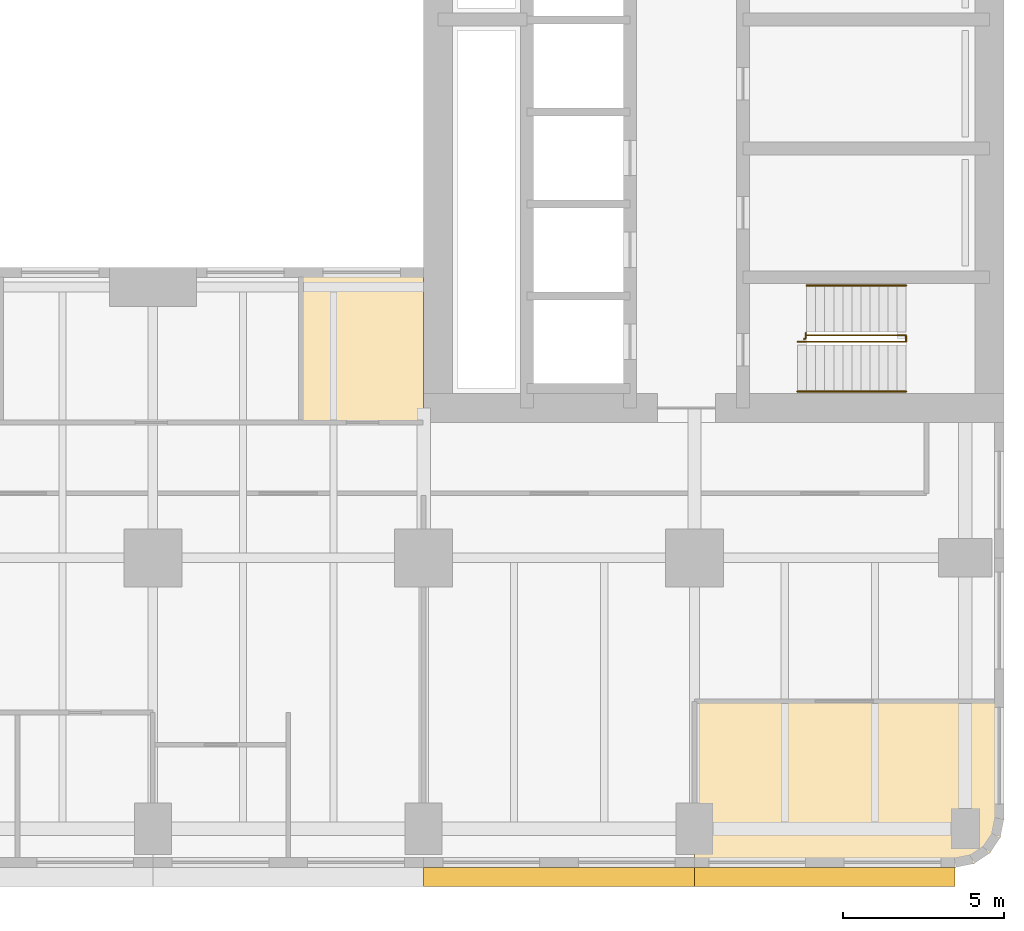
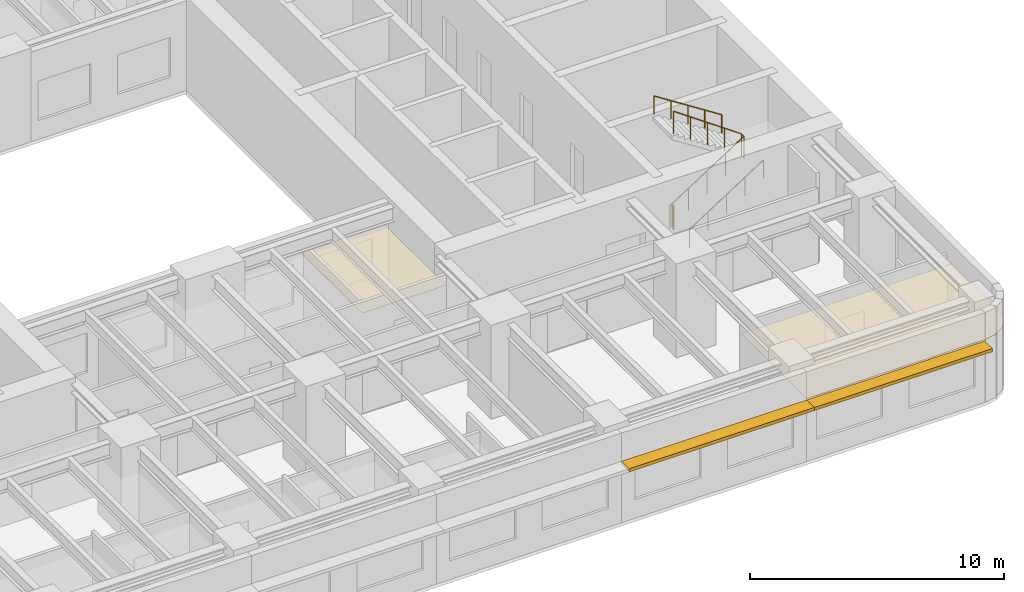
# One storey, part 11 of 13: 4 railings, 2 coverings, 2 shading devices.
"""IFC4 building model written with IfcOpenShell, lengths in metres."""

from ifc_helpers import new_model, si_unit, direction, frame, origin, origin_2d, place, context, subcontext, project, spatial, polyline, rectangle, circle, outline, extrude, material, layer, layer_set, type_object, element, save


model = new_model("IFC4")

# Units and contexts
model_context = context("Model", 3, precision=1e-05, world=origin(), true_north=direction((0.0, 1.0)))
body_context = subcontext(model_context, "Body", "Model", "MODEL_VIEW")
ifc_project = project(units=[si_unit("LENGTHUNIT", "METRE"), si_unit("AREAUNIT", "SQUARE_METRE"), si_unit("VOLUMEUNIT", "CUBIC_METRE"), si_unit("PLANEANGLEUNIT", "RADIAN"), si_unit("MASSUNIT", "GRAM", prefix="KILO")], contexts=[model_context])

# Site, building, storey
site_placement = place(None, origin())
site = spatial("IfcSite", under=ifc_project, at=site_placement, CompositionType="ELEMENT")
building_placement = place(site_placement, origin())
building = spatial("IfcBuilding", under=site, at=building_placement, Name="Claustro Exchange Tower", CompositionType="ELEMENT")
storey_placement = place(building_placement, frame((0.0, 0.0, 86.39990234375)))
storey = spatial("IfcBuildingStorey", under=building, at=storey_placement, Name="L19", CompositionType="ELEMENT", Elevation=86.39990234375)

# Coverings
ifc_material_1 = material(Name="Gypsum board ceiling", Category="gypsum board")
ifc_layer_1 = layer(ifc_material_1, 0.02490234375)
ifc_layer_set_1 = layer_set([ifc_layer_1], Name="Gypsum board ceiling")
covering_type = type_object("IfcCoveringType", Name="CL2 plasterboard ceiling", PredefinedType="CEILING", material=ifc_layer_set_1)
covering_1_placement = place(storey_placement, frame((0.0, 0.0, 3.0)))
element("IfcCovering", 1, at=covering_1_placement, inside=storey, type_object=covering_type, Name="Ceiling CL2 L19-06", PredefinedType="CEILING", context=body_context, shape_type="SweptSolid", body=[
    extrude(outline(polyline([(51.60009765625, 0.300048828125), (51.60009765625, 3.949951171875), (42.0, 3.949951171875), (42.0, -1.199951171875), (50.10009765625, -1.199951171875), (50.674072265625, -1.085693359375), (51.16064453125, -0.7607421875), (51.48583984375, -0.27392578125), (51.60009765625, 0.300048828125)])), origin(), (0.0, 0.0, 1.0), 0.025146484375),
])
covering_2_placement = place(storey_placement, frame((0.0, 0.0, 3.0)))
element("IfcCovering", 2, at=covering_2_placement, inside=storey, type_object=covering_type, Name="Ceiling CL2 L19-14", PredefinedType="CEILING", context=body_context, shape_type="SweptSolid", body=[
    extrude(outline(polyline([(33.60009765625, 17.39990234375), (29.800048828125, 17.39990234375), (29.800048828125, 12.60009765625), (33.60009765625, 12.60009765625), (33.60009765625, 17.39990234375)])), origin(), (0.0, 0.0, 1.0), 0.025146484375),
])

# Railings
ifc_material_2 = material(Name="Steel balustrade, painted", Category="steel")
railing_type_1 = type_object("IfcRailingType", Name="GR2 1100 steel stair guard", PredefinedType="GUARDRAIL", material=ifc_material_2)
railing_1_placement = place(storey_placement, frame((45.199951171875, 15.10009765625, 0.18017578125)))
element("IfcRailing", 3, at=railing_1_placement, inside=storey, type_object=railing_type_1, Name="Stair well guard GR2 stair STEA L19", PredefinedType="GUARDRAIL", context=body_context, shape_type="SweptSolid", body=[
    extrude(circle(Radius=0.02392578125, at=origin_2d()), frame((0.0, 0.0, 1.076171875), z_axis=(0.84119634759, 0.0, 0.540729789082), x_axis=(0.0, 1.0, 0.0)), (0.0, 0.0, 1.0), 3.994384765625),
    extrude(circle(Radius=0.02392578125, at=origin_2d()), frame((3.360107421875, 0.0, 3.23583984375), z_axis=(0.0, 1.0, 0.0), x_axis=(-1.0, 0.0, 0.0)), (0.0, 0.0, 1.0), 0.199951171875),
    extrude(circle(Radius=0.02392578125, at=origin_2d()), frame((3.360107421875, 0.199951171875, 3.23583984375), z_axis=(-0.8187499073, 0.0, 0.574150319426), x_axis=(0.0, -1.0, 0.0)), (0.0, 0.0, 1.0), 3.761962890625),
    extrude(circle(Radius=0.02099609375, at=origin_2d()), origin(), (0.0, 0.0, 1.0), 1.052001953125),
    extrude(circle(Radius=0.02099609375, at=origin_2d()), frame((0.840087890625, 0.0, 0.5400390625)), (0.0, 0.0, 1.0), 1.052001953125),
    extrude(circle(Radius=0.02099609375, at=origin_2d()), frame((1.68017578125, 0.0, 1.080078125)), (0.0, 0.0, 1.0), 1.052001953125),
    extrude(circle(Radius=0.02099609375, at=origin_2d()), frame((2.52001953125, 0.0, 1.619873046875)), (0.0, 0.0, 1.0), 1.052001953125),
    extrude(circle(Radius=0.02099609375, at=origin_2d()), frame((3.360107421875, 0.0, 2.159912109375)), (0.0, 0.0, 1.0), 1.052001953125),
    extrude(circle(Radius=0.02099609375, at=origin_2d()), frame((3.360107421875, 0.199951171875, 2.159912109375)), (0.0, 0.0, 1.0), 1.052001953125),
    extrude(circle(Radius=0.02099609375, at=origin_2d()), frame((2.590087890625, 0.199951171875, 2.699951171875)), (0.0, 0.0, 1.0), 1.052001953125),
    extrude(circle(Radius=0.02099609375, at=origin_2d()), frame((1.820068359375, 0.199951171875, 3.23974609375)), (0.0, 0.0, 1.0), 1.052001953125),
    extrude(circle(Radius=0.02099609375, at=origin_2d()), frame((1.050048828125, 0.199951171875, 3.77978515625)), (0.0, 0.0, 1.0), 1.052001953125),
    extrude(circle(Radius=0.02099609375, at=origin_2d()), frame((0.280029296875, 0.199951171875, 4.31982421875)), (0.0, 0.0, 1.0), 1.052001953125),
])
railing_2_placement = place(storey_placement, frame((45.39990234375, 15.169921875, 0.0)))
element("IfcRailing", 4, at=railing_2_placement, inside=storey, type_object=railing_type_1, Name="Stair guard GR2 STEA L19", PredefinedType="GUARDRAIL", context=body_context, shape_type="SweptSolid", body=[
    extrude(circle(Radius=0.02392578125, at=origin_2d()), frame((0.0, 0.0, 1.076171875), z_axis=(0.0, 1.0, 0.0), x_axis=(-1.0, 0.0, 0.0)), (0.0, 0.0, 1.0), 0.030029296875),
    extrude(circle(Radius=0.02392578125, at=origin_2d()), frame((0.0, 0.030029296875, 1.076171875), z_axis=(1.0, 0.0, 0.0), x_axis=(0.0, 1.0, 0.0)), (0.0, 0.0, 1.0), 0.05517578125),
    extrude(circle(Radius=0.02392578125, at=origin_2d()), frame((0.05517578125, 0.030029296875, 1.076171875), z_axis=(0.0, 1.0, 0.0), x_axis=(-1.0, 0.0, 0.0)), (0.0, 0.0, 1.0), 0.179931640625),
    extrude(circle(Radius=0.02099609375, at=origin_2d()), origin(), (0.0, 0.0, 1.0), 1.052001953125),
    extrude(circle(Radius=0.02099609375, at=origin_2d()), frame((0.0, 0.030029296875, 0.0)), (0.0, 0.0, 1.0), 1.052001953125),
    extrude(circle(Radius=0.02099609375, at=origin_2d()), frame((0.05517578125, 0.030029296875, 0.0)), (0.0, 0.0, 1.0), 1.052001953125),
    extrude(circle(Radius=0.02099609375, at=origin_2d()), frame((0.05517578125, 0.2099609375, 0.0)), (0.0, 0.0, 1.0), 1.052001953125),
])
ifc_material_3 = material(Name="Stainless steel tube", Category="steel")
railing_type_2 = type_object("IfcRailingType", Name="HR1 900 stair handrail", PredefinedType="HANDRAIL", material=ifc_material_3)
railing_3_placement = place(storey_placement, frame((45.199951171875, 13.56005859375, 0.18017578125)))
element("IfcRailing", 5, at=railing_3_placement, inside=storey, type_object=railing_type_2, Name="Handrail HR1 stair STEA L19", PredefinedType="HANDRAIL", context=body_context, shape_type="SweptSolid", body=[
    extrude(circle(Radius=0.02392578125, at=origin_2d()), frame((0.0, 0.0, 0.8759765625), z_axis=(0.84119634759, 0.0, 0.540729789082), x_axis=(0.0, 1.0, 0.0)), (0.0, 0.0, 1.0), 3.994384765625),
    extrude(circle(Radius=0.02099609375, at=origin_2d()), origin(), (0.0, 0.0, 1.0), 0.851806640625),
    extrude(circle(Radius=0.02099609375, at=origin_2d()), frame((0.840087890625, 0.0, 0.5400390625)), (0.0, 0.0, 1.0), 0.851806640625),
    extrude(circle(Radius=0.02099609375, at=origin_2d()), frame((1.68017578125, 0.0, 1.080078125)), (0.0, 0.0, 1.0), 0.851806640625),
    extrude(circle(Radius=0.02099609375, at=origin_2d()), frame((2.52001953125, 0.0, 1.619873046875)), (0.0, 0.0, 1.0), 0.851806640625),
    extrude(circle(Radius=0.02099609375, at=origin_2d()), frame((3.360107421875, 0.0, 2.159912109375)), (0.0, 0.0, 1.0), 0.851806640625),
])
railing_4_placement = place(storey_placement, frame((48.56005859375, 16.840087890625, 2.52001953125)))
element("IfcRailing", 6, at=railing_4_placement, inside=storey, type_object=railing_type_2, Name="Handrail HR1 stair STEA L19", PredefinedType="HANDRAIL", context=body_context, shape_type="SweptSolid", body=[
    extrude(circle(Radius=0.02392578125, at=origin_2d()), frame((0.0, 0.0, 0.8759765625), z_axis=(-0.84118714077, 0.0, 0.540744111576), x_axis=(0.0, -1.0, 0.0)), (0.0, 0.0, 1.0), 3.66162109375),
    extrude(circle(Radius=0.02099609375, at=origin_2d()), origin(), (0.0, 0.0, 1.0), 0.851806640625),
    extrude(circle(Radius=0.02099609375, at=origin_2d()), frame((-0.77001953125, 0.0, 0.4951171875)), (0.0, 0.0, 1.0), 0.851806640625),
    extrude(circle(Radius=0.02099609375, at=origin_2d()), frame((-1.5400390625, 0.0, 0.989990234375)), (0.0, 0.0, 1.0), 0.851806640625),
    extrude(circle(Radius=0.02099609375, at=origin_2d()), frame((-2.31005859375, 0.0, 1.48486328125)), (0.0, 0.0, 1.0), 0.851806640625),
    extrude(circle(Radius=0.02099609375, at=origin_2d()), frame((-3.080078125, 0.0, 1.97998046875)), (0.0, 0.0, 1.0), 0.851806640625),
])

# Shading devices
ifc_material_4 = material(Name="Concrete HA-40 (C40/50), precast, white cement, acid-etched", Category="concrete")
ifc_layer_2 = layer(ifc_material_4, 0.14990234375)
ifc_layer_set_2 = layer_set([ifc_layer_2], Name="Concrete HA-40 (C40/50), precast, white cement, acid-etched")
shading_device_type = type_object("IfcShadingDeviceType", Name="SS1 600 precast concrete SUNSHADE", PredefinedType="SHUTTER", material=ifc_layer_set_2)
shading_device_1_placement = place(storey_placement, frame((46.04248046875, -1.5, 2.800048828125), z_axis=(0.0, 0.0, 1.0), x_axis=(-1.0, 0.0, 0.0)))
element("IfcShadingDevice", 7, at=shading_device_1_placement, inside=storey, type_object=shading_device_type, Name="Precast SUNSHADE SS1 L19", PredefinedType="SHUTTER", context=body_context, shape_type="SweptSolid", body=[
    extrude(rectangle(XDim=8.085205078125, YDim=0.60009765625, at=origin_2d()), origin(), (0.0, 0.0, 1.0), 0.14990234375),
])
shading_device_2_placement = place(storey_placement, frame((37.800048828125, -1.5, 2.800048828125), z_axis=(0.0, 0.0, 1.0), x_axis=(-1.0, 0.0, 0.0)))
element("IfcShadingDevice", 8, at=shading_device_2_placement, inside=storey, type_object=shading_device_type, Name="Precast SUNSHADE SS1 L19", PredefinedType="SHUTTER", context=body_context, shape_type="SweptSolid", body=[
    extrude(rectangle(XDim=8.39990234375, YDim=0.60009765625, at=origin_2d()), origin(), (0.0, 0.0, 1.0), 0.14990234375),
])

save(model, "model.ifc")
